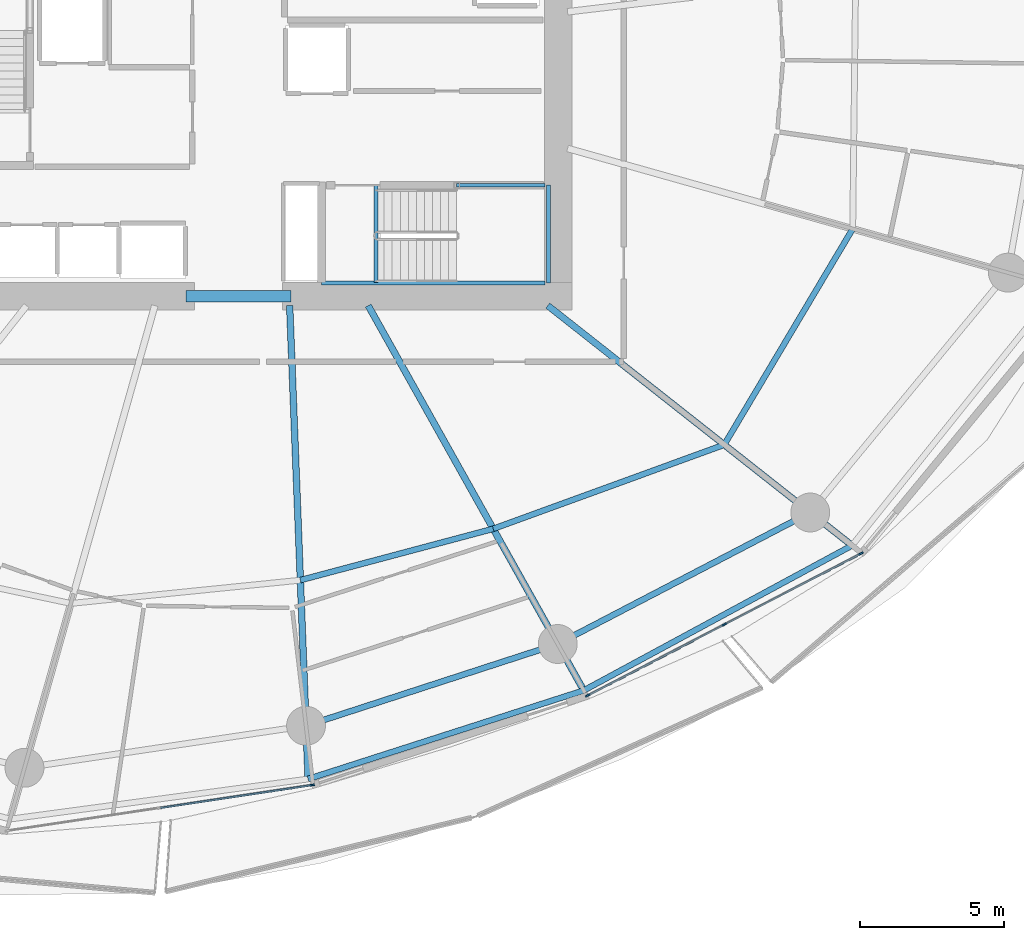
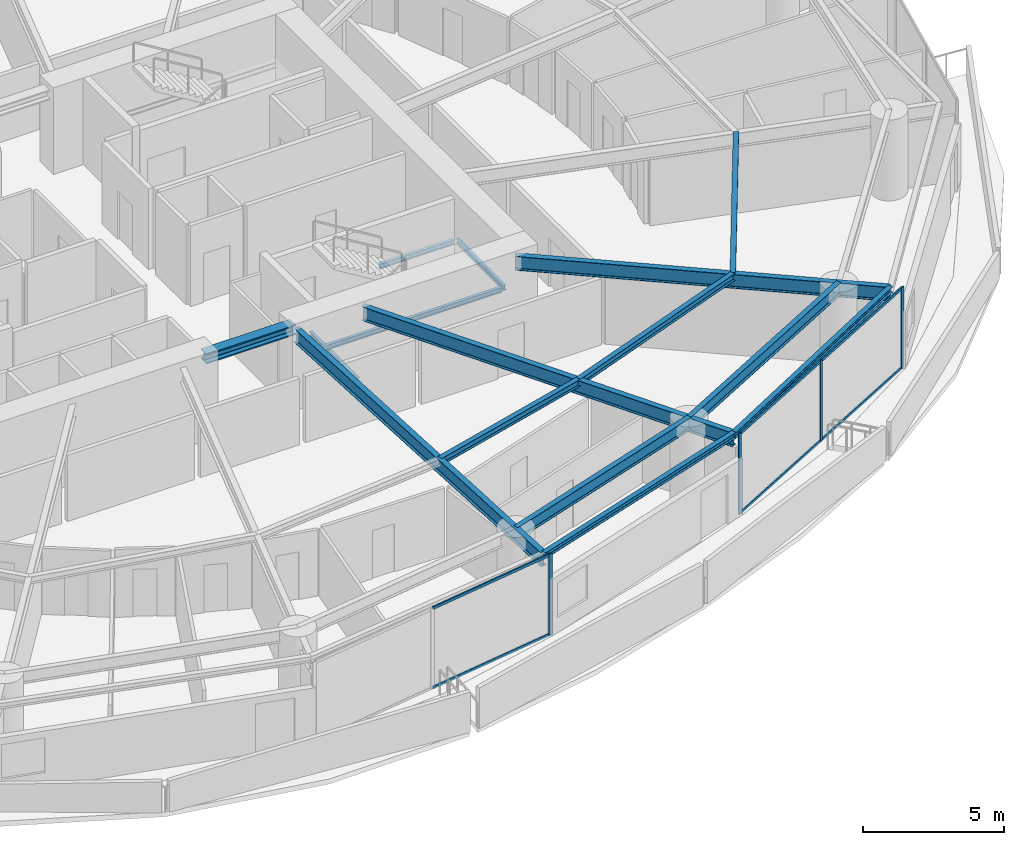
# One storey, part 10 of 31: 15 beams, 10 members, 2 elements without a shape of their own.
"""IFC4 building model written with IfcOpenShell, lengths in metres."""

from ifc_helpers import new_model, si_unit, direction, frame, origin, origin_2d, place, context, subcontext, project, spatial, rectangle, i_section, extrude, material, layer, layer_set, material_profile, profile_set, type_object, element, aggregate, save


model = new_model("IFC4")

# Units and contexts
model_context = context("Model", 3, precision=1e-05, world=origin(), true_north=direction((0.0, 1.0)))
body_context = subcontext(model_context, "Body", "Model", "MODEL_VIEW")
ifc_project = project(units=[si_unit("LENGTHUNIT", "METRE"), si_unit("AREAUNIT", "SQUARE_METRE"), si_unit("VOLUMEUNIT", "CUBIC_METRE"), si_unit("PLANEANGLEUNIT", "RADIAN"), si_unit("MASSUNIT", "GRAM", prefix="KILO")], contexts=[model_context])

# Site, building, storey
site_placement = place(None, origin())
site = spatial("IfcSite", under=ifc_project, at=site_placement, CompositionType="ELEMENT")
building_placement = place(site_placement, origin())
building = spatial("IfcBuilding", under=site, at=building_placement, Name="Kazma Halo Residences", CompositionType="ELEMENT")
storey_placement = place(building_placement, frame((0.0, 0.0, 45.14990234375)))
storey = spatial("IfcBuildingStorey", under=building, at=storey_placement, Name="L10", CompositionType="ELEMENT", Elevation=45.14990234375)

# Beams
ifc_material_1 = material(Name="Steel S355", Category="steel")
ifc_material_profile_1 = material_profile(ifc_material_1, i_section(OverallWidth=0.201904296875, OverallDepth=0.2470703125, WebThickness=0.00732421875, FlangeThickness=0.010986328125, FilletRadius=0.011962890625, at=origin_2d()), Name="W250x49.1")
ifc_profile_set_1 = profile_set([ifc_material_profile_1], Name="Steel S355")
beam_type_1 = type_object("IfcBeamType", Name="BM-BAL-CANT", PredefinedType="BEAM", material=ifc_profile_set_1)
beam_1_placement = place(storey_placement, frame((50.84033203125, 16.761962890625, 3.376708984375), z_axis=(0.952101049535, 0.305783569662, 0.0), x_axis=(-0.305783569662, 0.952101049535, 0.0)))
element("IfcBeam", 1, at=beam_1_placement, inside=storey, type_object=beam_type_1, Name="L10 wave-balcony tie beam 12", PredefinedType="BEAM", context=body_context, shape_type="SweptSolid", body=[
    extrude(i_section(OverallWidth=0.201904296875, OverallDepth=0.2470703125, WebThickness=0.00732421875, FlangeThickness=0.010986328125, FilletRadius=0.011962890625, at=origin_2d()), origin(), (0.0, 0.0, 1.0), 10.053466796875),
])
beam_2_placement = place(storey_placement, frame((60.412353515625, 19.836181640625, 3.376708984375), z_axis=(0.879759421466, 0.47541914175, 0.0), x_axis=(-0.47541914175, 0.879759421466, 0.0)))
element("IfcBeam", 2, at=beam_2_placement, inside=storey, type_object=beam_type_1, Name="L10 wave-balcony tie beam 13", PredefinedType="BEAM", context=body_context, shape_type="SweptSolid", body=[
    extrude(i_section(OverallWidth=0.201904296875, OverallDepth=0.2470703125, WebThickness=0.00732421875, FlangeThickness=0.010986328125, FilletRadius=0.011962890625, at=origin_2d()), origin(), (0.0, 0.0, 1.0), 10.58935546875),
])
ifc_material_profile_2 = material_profile(ifc_material_1, i_section(OverallWidth=0.408935546875, OverallDepth=0.425048828125, WebThickness=0.03271484375, FlangeThickness=0.052490234375, FilletRadius=0.02001953125, at=origin_2d()), Name="W360x421")
ifc_profile_set_2 = profile_set([ifc_material_profile_2], Name="Steel S355")
beam_type_2 = type_object("IfcBeamType", Name="BM-CORE-W360H", PredefinedType="BEAM", material=ifc_profile_set_2)
beam_3_placement = place(storey_placement, frame((46.60009765625, 33.52490234375, 3.28759765625), z_axis=(1.0, 0.0, 0.0), x_axis=(0.0, 1.0, 0.0)))
element("IfcBeam", 3, at=beam_3_placement, inside=storey, type_object=beam_type_2, Name="L10 core coupling beam S", PredefinedType="BEAM", context=body_context, shape_type="SweptSolid", body=[
    extrude(i_section(OverallWidth=0.408935546875, OverallDepth=0.425048828125, WebThickness=0.03271484375, FlangeThickness=0.052490234375, FilletRadius=0.02001953125, at=origin_2d()), origin(), (0.0, 0.0, 1.0), 3.64990234375),
])
ifc_material_profile_3 = material_profile(ifc_material_1, i_section(OverallWidth=0.22802734375, OverallDepth=0.60791015625, WebThickness=0.01123046875, FlangeThickness=0.017333984375, FilletRadius=0.01806640625, at=origin_2d()), Name="W610x113")
ifc_profile_set_3 = profile_set([ifc_material_profile_3], Name="Steel S355")
beam_type_3 = type_object("IfcBeamType", Name="BM-RAD-W610", PredefinedType="BEAM", material=ifc_profile_set_3)
beam_4_placement = place(storey_placement, frame((50.199951171875, 33.199951171875, 3.196044921875), z_axis=(0.038927845379, -0.999242024163, 0.0), x_axis=(0.999242024163, 0.038927845379, 0.0)))
element("IfcBeam", 4, at=beam_4_placement, inside=storey, type_object=beam_type_3, Name="L10 radial floor beam 12", PredefinedType="BEAM", context=body_context, shape_type="SweptSolid", body=[
    extrude(i_section(OverallWidth=0.22802734375, OverallDepth=0.60791015625, WebThickness=0.01123046875, FlangeThickness=0.017333984375, FilletRadius=0.01806640625, at=origin_2d()), origin(), (0.0, 0.0, 1.0), 16.450439453125),
])
beam_5_placement = place(storey_placement, frame((52.92822265625, 33.199951171875, 3.196044921875), z_axis=(0.488624239587, -0.872494328055, 0.0), x_axis=(0.872494328055, 0.488624239587, 0.0)))
element("IfcBeam", 5, at=beam_5_placement, inside=storey, type_object=beam_type_3, Name="L10 radial floor beam 13", PredefinedType="BEAM", context=body_context, shape_type="SweptSolid", body=[
    extrude(i_section(OverallWidth=0.22802734375, OverallDepth=0.60791015625, WebThickness=0.01123046875, FlangeThickness=0.017333984375, FilletRadius=0.01806640625, at=origin_2d()), origin(), (0.0, 0.0, 1.0), 15.316650390625),
])
beam_6_placement = place(storey_placement, frame((59.16259765625, 33.199951171875, 3.196044921875), z_axis=(0.785322437877, -0.619086963655, 0.0), x_axis=(0.619086963655, 0.785322437877, 0.0)))
element("IfcBeam", 6, at=beam_6_placement, inside=storey, type_object=beam_type_3, Name="L10 radial floor beam 14", PredefinedType="BEAM", context=body_context, shape_type="SweptSolid", body=[
    extrude(i_section(OverallWidth=0.22802734375, OverallDepth=0.60791015625, WebThickness=0.01123046875, FlangeThickness=0.017333984375, FilletRadius=0.01806640625, at=origin_2d()), origin(), (0.0, 0.0, 1.0), 13.454345703125),
])
ifc_material_profile_4 = material_profile(ifc_material_1, i_section(OverallWidth=0.202880859375, OverallDepth=0.302978515625, WebThickness=0.007568359375, FlangeThickness=0.01318359375, FilletRadius=0.013916015625, at=origin_2d()), Name="W310x60")
ifc_profile_set_4 = profile_set([ifc_material_profile_4], Name="Steel S355")
beam_type_4 = type_object("IfcBeamType", Name="BM-SEC-W310A", PredefinedType="JOIST", material=ifc_profile_set_4)
beam_7_placement = place(storey_placement, frame((50.5712890625, 23.666015625, 3.3486328125), z_axis=(0.966337757832, 0.257276772735, 0.0), x_axis=(-0.257276772735, 0.966337757832, 0.0)))
element("IfcBeam", 7, at=beam_7_placement, inside=storey, type_object=beam_type_4, Name="L10 circumferential floor joist 12", PredefinedType="JOIST", context=body_context, shape_type="SweptSolid", body=[
    extrude(i_section(OverallWidth=0.202880859375, OverallDepth=0.302978515625, WebThickness=0.007568359375, FlangeThickness=0.01318359375, FilletRadius=0.013916015625, at=origin_2d()), origin(), (0.0, 0.0, 1.0), 6.93115234375),
])
beam_8_placement = place(storey_placement, frame((57.26904296875, 25.44921875, 3.3486328125), z_axis=(0.939695690299, 0.34201170979, 0.0), x_axis=(-0.34201170979, 0.939695690299, 0.0)))
element("IfcBeam", 8, at=beam_8_placement, inside=storey, type_object=beam_type_4, Name="L10 circumferential floor joist 13", PredefinedType="JOIST", context=body_context, shape_type="SweptSolid", body=[
    extrude(i_section(OverallWidth=0.202880859375, OverallDepth=0.302978515625, WebThickness=0.007568359375, FlangeThickness=0.01318359375, FilletRadius=0.013916015625, at=origin_2d()), origin(), (0.0, 0.0, 1.0), 8.536865234375),
])
beam_9_placement = place(storey_placement, frame((65.291015625, 28.368896484375, 3.3486328125), z_axis=(0.511331320511, 0.859383663252, 0.0), x_axis=(-0.859383663252, 0.511331320511, 0.0)))
element("IfcBeam", 9, at=beam_9_placement, inside=storey, type_object=beam_type_4, Name="L10 circumferential floor joist 14", PredefinedType="JOIST", context=body_context, shape_type="SweptSolid", body=[
    extrude(i_section(OverallWidth=0.202880859375, OverallDepth=0.302978515625, WebThickness=0.007568359375, FlangeThickness=0.01318359375, FilletRadius=0.013916015625, at=origin_2d()), origin(), (0.0, 0.0, 1.0), 8.72314453125),
])
ifc_material_profile_5 = material_profile(ifc_material_1, i_section(OverallWidth=0.208984375, OverallDepth=0.532958984375, WebThickness=0.01025390625, FlangeThickness=0.015625, FilletRadius=0.01611328125, at=origin_2d()), Name="W530x92")
ifc_profile_set_5 = profile_set([ifc_material_profile_5], Name="Steel S355")
beam_type_5 = type_object("IfcBeamType", Name="BM-SPN-W530", PredefinedType="BEAM", material=ifc_profile_set_5)
beam_10_placement = place(storey_placement, frame((50.768310546875, 18.610595703125, 3.233642578125), z_axis=(0.951054956346, 0.309021795363, 0.0), x_axis=(-0.309021795363, 0.951054956346, 0.0)))
element("IfcBeam", 10, at=beam_10_placement, inside=storey, type_object=beam_type_5, Name="L10 perimeter ring beam 12", PredefinedType="BEAM", context=body_context, shape_type="SweptSolid", body=[
    extrude(i_section(OverallWidth=0.208984375, OverallDepth=0.532958984375, WebThickness=0.01025390625, FlangeThickness=0.015625, FilletRadius=0.01611328125, at=origin_2d()), origin(), (0.0, 0.0, 1.0), 9.189697265625),
])
beam_11_placement = place(storey_placement, frame((59.50830078125, 21.450439453125, 3.233642578125), z_axis=(0.886956241699, 0.461853467358, 0.0), x_axis=(-0.461853467358, 0.886956241699, 0.0)))
element("IfcBeam", 11, at=beam_11_placement, inside=storey, type_object=beam_type_5, Name="L10 perimeter ring beam 13", PredefinedType="BEAM", context=body_context, shape_type="SweptSolid", body=[
    extrude(i_section(OverallWidth=0.208984375, OverallDepth=0.532958984375, WebThickness=0.01025390625, FlangeThickness=0.015625, FilletRadius=0.01611328125, at=origin_2d()), origin(), (0.0, 0.0, 1.0), 9.885009765625),
])
ifc_material_profile_6 = material_profile(ifc_material_1, i_section(OverallWidth=0.133056640625, OverallDepth=0.20703125, WebThickness=0.005859375, FlangeThickness=0.00830078125, FilletRadius=0.010009765625, at=origin_2d()), Name="W200x26.6")
ifc_profile_set_6 = profile_set([ifc_material_profile_6], Name="Steel S355")
beam_type_6 = type_object("IfcBeamType", Name="BM-TRIM-W200", PredefinedType="BEAM", material=ifc_profile_set_6)
beam_12_placement = place(storey_placement, frame((53.199951171875, 34.0, -0.35986328125), z_axis=(0.0, 1.0, 0.0), x_axis=(-1.0, 0.0, 0.0)))
element("IfcBeam", 12, at=beam_12_placement, inside=storey, type_object=beam_type_6, Name="L10 ST-03 floor landing support beam", PredefinedType="BEAM", context=body_context, shape_type="SweptSolid", body=[
    extrude(i_section(OverallWidth=0.133056640625, OverallDepth=0.20703125, WebThickness=0.005859375, FlangeThickness=0.00830078125, FilletRadius=0.010009765625, at=origin_2d()), origin(), (0.0, 0.0, 1.0), 3.3798828125),
])
beam_13_placement = place(storey_placement, frame((51.31005859375, 33.97998046875, 1.570068359375), z_axis=(1.0, 0.0, 0.0), x_axis=(0.0, 1.0, 0.0)))
element("IfcBeam", 13, at=beam_13_placement, inside=storey, type_object=beam_type_6, Name="L10 ST-03 landing south wall ledger", PredefinedType="BEAM", context=body_context, shape_type="SweptSolid", body=[
    extrude(i_section(OverallWidth=0.133056640625, OverallDepth=0.20703125, WebThickness=0.005859375, FlangeThickness=0.00830078125, FilletRadius=0.010009765625, at=origin_2d()), origin(), (0.0, 0.0, 1.0), 7.760009765625),
])
beam_14_placement = place(storey_placement, frame((56.0, 37.3798828125, 1.570068359375), z_axis=(1.0, 0.0, 0.0), x_axis=(0.0, 1.0, 0.0)))
element("IfcBeam", 14, at=beam_14_placement, inside=storey, type_object=beam_type_6, Name="L10 ST-03 landing north wall ledger", PredefinedType="BEAM", context=body_context, shape_type="SweptSolid", body=[
    extrude(i_section(OverallWidth=0.133056640625, OverallDepth=0.20703125, WebThickness=0.005859375, FlangeThickness=0.00830078125, FilletRadius=0.010009765625, at=origin_2d()), origin(), (0.0, 0.0, 1.0), 3.070068359375),
])
beam_15_placement = place(storey_placement, frame((59.18994140625, 33.97998046875, 1.570068359375), z_axis=(0.0, 1.0, 0.0), x_axis=(-1.0, 0.0, 0.0)))
element("IfcBeam", 15, at=beam_15_placement, inside=storey, type_object=beam_type_6, Name="L10 ST-03 landing end wall ledger", PredefinedType="BEAM", context=body_context, shape_type="SweptSolid", body=[
    extrude(i_section(OverallWidth=0.133056640625, OverallDepth=0.20703125, WebThickness=0.005859375, FlangeThickness=0.00830078125, FilletRadius=0.010009765625, at=origin_2d()), origin(), (0.0, 0.0, 1.0), 3.39990234375),
])

# Curtain wall, member
ifc_material_2 = material(Name="Aluminium AW-6063 T6 and Triple-Silver Low-E Glass", Category="aluminium")
ifc_layer = layer(ifc_material_2, 0.159912109375)
ifc_layer_set = layer_set([ifc_layer], Name="Aluminium AW-6063 T6 and Triple-Silver Low-E Glass")
curtain_wall_type = type_object("IfcCurtainWallType", Name="CW-SYS-2", PredefinedType="NOTDEFINED", material=ifc_layer_set)
curtain_wall_1_placement = place(storey_placement, origin())
curtain_wall_1 = element("IfcCurtainWall", 16, at=curtain_wall_1_placement, inside=storey, type_object=curtain_wall_type, Name="L10 unitised curtain wall B11", PredefinedType="NOTDEFINED")
ifc_material_3 = material(Name="Aluminium AW-6063 T6", Category="aluminium")
ifc_material_profile_7 = material_profile(ifc_material_3, rectangle(XDim=0.06005859375, YDim=0.159912109375, at=origin_2d()), Name="CWM-60x160")
ifc_profile_set_7 = profile_set([ifc_material_profile_7], Name="Aluminium AW-6063 T6")
member_type_1 = type_object("IfcMemberType", Name="CW-SYS-2-MUL", PredefinedType="MULLION", material=ifc_profile_set_7)
member_1_placement = place(storey_placement, frame((50.981689453125, 16.552490234375, 0.0), z_axis=(0.0, 0.0, 1.0), x_axis=(-0.148657272805, 0.988888777994, 0.0)))
member_1 = element("IfcMember", 17, at=member_1_placement, type_object=member_type_1, Name="CWS-2 mullion 3", PredefinedType="MULLION", context=body_context, shape_type="SweptSolid", body=[
    extrude(rectangle(XDim=0.06005859375, YDim=0.159912109375, at=origin_2d()), origin(), (0.0, 0.0, 1.0), 3.5),
])

# Curtain wall, members
curtain_wall_2_placement = place(storey_placement, origin())
curtain_wall_2 = element("IfcCurtainWall", 18, at=curtain_wall_2_placement, inside=storey, type_object=curtain_wall_type, Name="L10 unitised curtain wall B13", PredefinedType="NOTDEFINED")
member_2_placement = place(storey_placement, frame((60.54541015625, 19.659912109375, 0.0), z_axis=(0.0, 0.0, 1.0), x_axis=(-0.460995912628, 0.887402258584, 0.0)))
member_2 = element("IfcMember", 19, at=member_2_placement, type_object=member_type_1, Name="CWS-2 mullion 1", PredefinedType="MULLION", context=body_context, shape_type="SweptSolid", body=[
    extrude(rectangle(XDim=0.06005859375, YDim=0.159912109375, at=origin_2d()), origin(), (0.0, 0.0, 1.0), 3.5),
])
member_3_placement = place(storey_placement, frame((65.2919921875, 22.125732421875, 0.0), z_axis=(0.0, 0.0, 1.0), x_axis=(-0.460995912628, 0.887402258584, 0.0)))
member_3 = element("IfcMember", 20, at=member_3_placement, type_object=member_type_1, Name="CWS-2 mullion 2", PredefinedType="MULLION", context=body_context, shape_type="SweptSolid", body=[
    extrude(rectangle(XDim=0.06005859375, YDim=0.159912109375, at=origin_2d()), origin(), (0.0, 0.0, 1.0), 3.5),
])
member_4_placement = place(storey_placement, frame((70.03857421875, 24.591552734375, 0.0), z_axis=(0.0, 0.0, 1.0), x_axis=(-0.460995912628, 0.887402258584, 0.0)))
member_4 = element("IfcMember", 21, at=member_4_placement, type_object=member_type_1, Name="CWS-2 mullion 3", PredefinedType="MULLION", context=body_context, shape_type="SweptSolid", body=[
    extrude(rectangle(XDim=0.06005859375, YDim=0.159912109375, at=origin_2d()), origin(), (0.0, 0.0, 1.0), 3.5),
])

# Member
ifc_material_profile_8 = material_profile(ifc_material_3, rectangle(XDim=0.06005859375, YDim=0.1201171875, at=origin_2d()), Name="CWT-60x120")
ifc_profile_set_8 = profile_set([ifc_material_profile_8], Name="Aluminium AW-6063 T6")
member_type_2 = type_object("IfcMemberType", Name="CW-SYS-2-TRN", PredefinedType="USERDEFINED", material=ifc_profile_set_8)
member_5_placement = place(storey_placement, frame((45.721923828125, 15.761962890625, 0.030029296875), z_axis=(0.98889195415, 0.148636143041, 0.0), x_axis=(-0.148636143041, 0.98889195415, 0.0)))
member_5 = element("IfcMember", 22, at=member_5_placement, type_object=member_type_2, Name="CWS-2 transom 2.1", ObjectType="TRANSOM", PredefinedType="USERDEFINED", context=body_context, shape_type="SweptSolid", body=[
    extrude(rectangle(XDim=0.06005859375, YDim=0.1201171875, at=origin_2d()), origin(), (0.0, 0.0, 1.0), 5.2890625),
])

member_6_placement = place(storey_placement, frame((45.721923828125, 15.761962890625, 3.47021484375), z_axis=(0.98889195415, 0.148636143041, 0.0), x_axis=(-0.148636143041, 0.98889195415, 0.0)))
member_6 = element("IfcMember", 23, at=member_6_placement, type_object=member_type_2, Name="CWS-2 transom 2.2", ObjectType="TRANSOM", PredefinedType="USERDEFINED", context=body_context, shape_type="SweptSolid", body=[
    extrude(rectangle(XDim=0.06005859375, YDim=0.1201171875, at=origin_2d()), origin(), (0.0, 0.0, 1.0), 5.2890625),
])

aggregate(curtain_wall_1, [member_1, member_5, member_6])

member_7_placement = place(storey_placement, frame((60.572021484375, 19.673828125, 0.030029296875), z_axis=(0.887414738583, 0.460971888238, 0.0), x_axis=(-0.460971888238, 0.887414738583, 0.0)))
member_7 = element("IfcMember", 24, at=member_7_placement, type_object=member_type_2, Name="CWS-2 transom 1.1", ObjectType="TRANSOM", PredefinedType="USERDEFINED", context=body_context, shape_type="SweptSolid", body=[
    extrude(rectangle(XDim=0.06005859375, YDim=0.1201171875, at=origin_2d()), origin(), (0.0, 0.0, 1.0), 5.288818359375),
])

member_8_placement = place(storey_placement, frame((60.572021484375, 19.673828125, 3.47021484375), z_axis=(0.887414738583, 0.460971888238, 0.0), x_axis=(-0.460971888238, 0.887414738583, 0.0)))
member_8 = element("IfcMember", 25, at=member_8_placement, type_object=member_type_2, Name="CWS-2 transom 1.2", ObjectType="TRANSOM", PredefinedType="USERDEFINED", context=body_context, shape_type="SweptSolid", body=[
    extrude(rectangle(XDim=0.06005859375, YDim=0.1201171875, at=origin_2d()), origin(), (0.0, 0.0, 1.0), 5.288818359375),
])

member_9_placement = place(storey_placement, frame((65.318603515625, 22.1396484375, 0.030029296875), z_axis=(0.887414738583, 0.460971888238, 0.0), x_axis=(-0.460971888238, 0.887414738583, 0.0)))
member_9 = element("IfcMember", 26, at=member_9_placement, type_object=member_type_2, Name="CWS-2 transom 2.1", ObjectType="TRANSOM", PredefinedType="USERDEFINED", context=body_context, shape_type="SweptSolid", body=[
    extrude(rectangle(XDim=0.06005859375, YDim=0.1201171875, at=origin_2d()), origin(), (0.0, 0.0, 1.0), 5.288818359375),
])

member_10_placement = place(storey_placement, frame((65.318603515625, 22.1396484375, 3.47021484375), z_axis=(0.887414738583, 0.460971888238, 0.0), x_axis=(-0.460971888238, 0.887414738583, 0.0)))
member_10 = element("IfcMember", 27, at=member_10_placement, type_object=member_type_2, Name="CWS-2 transom 2.2", ObjectType="TRANSOM", PredefinedType="USERDEFINED", context=body_context, shape_type="SweptSolid", body=[
    extrude(rectangle(XDim=0.06005859375, YDim=0.1201171875, at=origin_2d()), origin(), (0.0, 0.0, 1.0), 5.288818359375),
])

aggregate(curtain_wall_2, [member_2, member_3, member_4, member_7, member_8, member_9, member_10])

save(model, "model.ifc")
